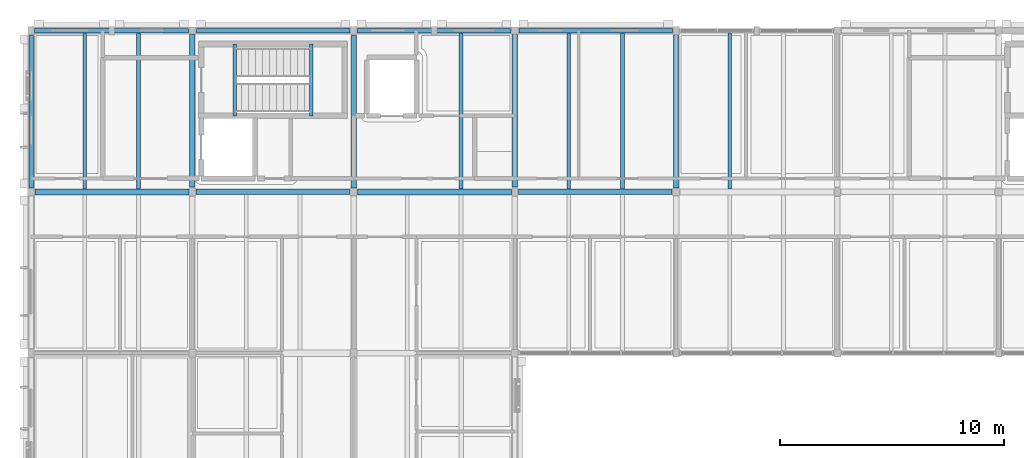
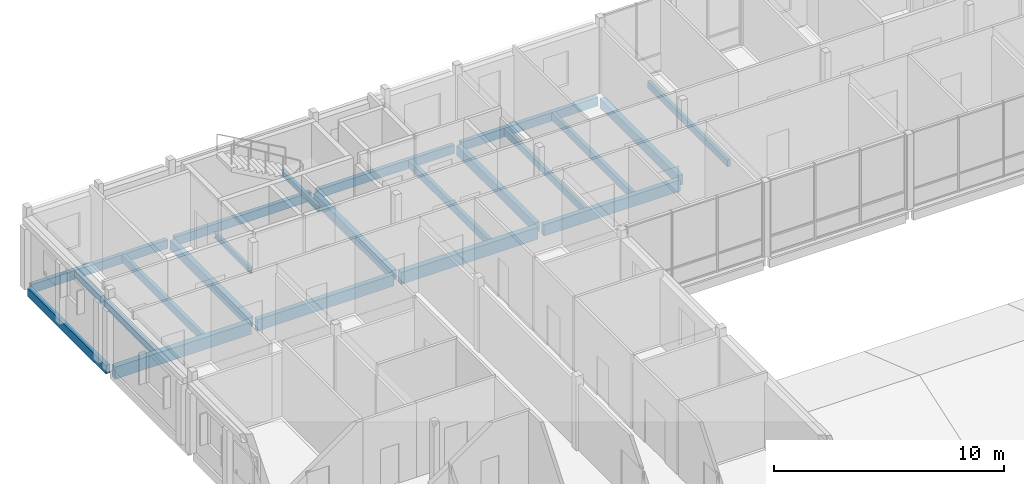
# One storey, part 21 of 115: 21 beams.
"""IFC4 building model written with IfcOpenShell, lengths in metres."""

from ifc_helpers import new_model, si_unit, direction, frame, origin, origin_2d, place, context, subcontext, project, spatial, rectangle, i_section, extrude, material, material_profile, profile_set, type_object, element, save


model = new_model("IFC4")

# Units and contexts
model_context = context("Model", 3, precision=1e-05, world=origin(), true_north=direction((0.0, 1.0)))
body_context = subcontext(model_context, "Body", "Model", "MODEL_VIEW")
ifc_project = project(units=[si_unit("LENGTHUNIT", "METRE"), si_unit("AREAUNIT", "SQUARE_METRE"), si_unit("VOLUMEUNIT", "CUBIC_METRE"), si_unit("PLANEANGLEUNIT", "RADIAN"), si_unit("MASSUNIT", "GRAM", prefix="KILO")], contexts=[model_context])

# Site, building, storey
site_placement = place(None, origin())
site = spatial("IfcSite", under=ifc_project, at=site_placement, CompositionType="ELEMENT")
building_placement = place(site_placement, origin())
building = spatial("IfcBuilding", under=site, at=building_placement, Name="Hawrajan Terrace Health Centre", CompositionType="ELEMENT")
storey_placement = place(building_placement, frame((0.0, 0.0, 9.0)))
storey = spatial("IfcBuildingStorey", under=building, at=storey_placement, Name="L02", CompositionType="ELEMENT", Elevation=9.0)

# Beams
ifc_material_1 = material(Name="Glulam GL32h", Category="wood")
ifc_material_profile_1 = material_profile(ifc_material_1, rectangle(XDim=0.239990234375, YDim=0.52001953125, at=origin_2d()), Name="GL BM 240x520")
ifc_profile_set_1 = profile_set([ifc_material_profile_1], Name="Glulam GL32h")
beam_type_1 = type_object("IfcBeamType", Name="GlulamGirder_240x520", PredefinedType="BEAM", material=ifc_profile_set_1)
for number, where, z_axis, x_axis, name in (
    (1, (11.800048828125, 52.81005859375, -0.5), (0.0, 1.0, 0.0), (-1.0, 0.0, 0.0), "Beam BM-Y-L02-W-X02-7"),
    (2, (19.0, 52.780029296875, -0.5), (0.0, 1.0, 0.0), (-1.0, 0.0, 0.0), "Beam BM-Y-L02-W-X03-7"),
    (3, (26.199951171875, 52.81005859375, -0.5), (0.0, 1.0, 0.0), (-1.0, 0.0, 0.0), "Beam BM-Y-L02-W-X04-7"),
    (4, (33.39990234375, 52.780029296875, -0.5), (0.0, 1.0, 0.0), (-1.0, 0.0, 0.0), "Beam BM-Y-L02-W-X05-7"),
):
    element("IfcBeam", number, at=place(storey_placement, frame(where, z_axis=z_axis, x_axis=x_axis)), inside=storey, type_object=beam_type_1, Name=name, PredefinedType="BEAM", context=body_context, shape_type="SweptSolid", body=[
        extrude(rectangle(XDim=0.239990234375, YDim=0.52001953125, at=origin_2d()), origin(), (0.0, 0.0, 1.0), 6.81005859375),
    ])
ifc_material_profile_2 = material_profile(ifc_material_1, rectangle(XDim=0.239990234375, YDim=0.60009765625, at=origin_2d()), Name="GL BM 240x600")
ifc_profile_set_2 = profile_set([ifc_material_profile_2], Name="Glulam GL32h")
beam_type_2 = type_object("IfcBeamType", Name="GlulamGirder_240x600", PredefinedType="BEAM", material=ifc_profile_set_2)
beam_1_placement = place(storey_placement, frame((11.9599609375, 52.60009765625, -0.5400390625), z_axis=(1.0, 0.0, 0.0), x_axis=(0.0, 1.0, 0.0)))
element("IfcBeam", 5, at=beam_1_placement, inside=storey, type_object=beam_type_2, Name="Beam BM-X-L02-W-02-Y7", PredefinedType="BEAM", context=body_context, shape_type="SweptSolid", body=[
    extrude(rectangle(XDim=0.239990234375, YDim=0.60009765625, at=origin_2d()), origin(), (0.0, 0.0, 1.0), 6.860107421875),
])
beam_2_placement = place(storey_placement, frame((26.360107421875, 52.60009765625, -0.5400390625), z_axis=(1.0, 0.0, 0.0), x_axis=(0.0, 1.0, 0.0)))
element("IfcBeam", 6, at=beam_2_placement, inside=storey, type_object=beam_type_2, Name="Beam BM-X-L02-W-04-Y7", PredefinedType="BEAM", context=body_context, shape_type="SweptSolid", body=[
    extrude(rectangle(XDim=0.239990234375, YDim=0.60009765625, at=origin_2d()), origin(), (0.0, 0.0, 1.0), 6.85986328125),
])
ifc_material_profile_3 = material_profile(ifc_material_1, rectangle(XDim=0.280029296875, YDim=0.639892578125, at=origin_2d()), Name="GL BM 280x640")
ifc_profile_set_3 = profile_set([ifc_material_profile_3], Name="Glulam GL32h")
beam_type_3 = type_object("IfcBeamType", Name="GlulamGirder_280x640", PredefinedType="BEAM", material=ifc_profile_set_3)
beam_3_placement = place(storey_placement, frame((4.780029296875, 52.60009765625, -0.56005859375), z_axis=(1.0, 0.0, 0.0), x_axis=(0.0, 1.0, 0.0)))
element("IfcBeam", 7, at=beam_3_placement, inside=storey, type_object=beam_type_3, Name="Beam BM-X-L02-W-01-Y7", PredefinedType="BEAM", context=body_context, shape_type="SweptSolid", body=[
    extrude(rectangle(XDim=0.280029296875, YDim=0.639892578125, at=origin_2d()), origin(), (0.0, 0.0, 1.0), 6.85986328125),
])
beam_4_placement = place(storey_placement, frame((19.179931640625, 52.60009765625, -0.56005859375), z_axis=(1.0, 0.0, 0.0), x_axis=(0.0, 1.0, 0.0)))
element("IfcBeam", 8, at=beam_4_placement, inside=storey, type_object=beam_type_3, Name="Beam BM-X-L02-W-03-Y7", PredefinedType="BEAM", context=body_context, shape_type="SweptSolid", body=[
    extrude(rectangle(XDim=0.280029296875, YDim=0.639892578125, at=origin_2d()), origin(), (0.0, 0.0, 1.0), 6.860107421875),
])
ifc_material_2 = material(Name="Glulam GL28h", Category="wood")
ifc_material_profile_4 = material_profile(ifc_material_2, rectangle(XDim=0.159912109375, YDim=0.360107421875, at=origin_2d()), Name="GL JST 160x360")
ifc_profile_set_4 = profile_set([ifc_material_profile_4], Name="Glulam GL28h")
beam_type_4 = type_object("IfcBeamType", Name="GlulamJoist_160x360", PredefinedType="JOIST", material=ifc_profile_set_4)
beam_5_placement = place(storey_placement, frame((7.0, 52.739990234375, -0.419921875), z_axis=(0.0, 1.0, 0.0), x_axis=(-1.0, 0.0, 0.0)))
element("IfcBeam", 9, at=beam_5_placement, inside=storey, type_object=beam_type_4, Name="Secondary joist JST-L02-W-01-7-1", PredefinedType="JOIST", context=body_context, shape_type="SweptSolid", body=[
    extrude(rectangle(XDim=0.159912109375, YDim=0.360107421875, at=origin_2d()), origin(), (0.0, 0.0, 1.0), 6.9599609375),
])
beam_6_placement = place(storey_placement, frame((28.60009765625, 52.719970703125, -0.419921875), z_axis=(0.0, 1.0, 0.0), x_axis=(-1.0, 0.0, 0.0)))
element("IfcBeam", 10, at=beam_6_placement, inside=storey, type_object=beam_type_4, Name="Secondary joist JST-L02-W-04-7-1", PredefinedType="JOIST", context=body_context, shape_type="SweptSolid", body=[
    extrude(rectangle(XDim=0.159912109375, YDim=0.360107421875, at=origin_2d()), origin(), (0.0, 0.0, 1.0), 6.97998046875),
])
beam_7_placement = place(storey_placement, frame((35.800048828125, 52.739990234375, -0.419921875), z_axis=(0.0, 1.0, 0.0), x_axis=(-1.0, 0.0, 0.0)))
element("IfcBeam", 11, at=beam_7_placement, inside=storey, type_object=beam_type_4, Name="Secondary joist JST-L02-W-05-7-1", PredefinedType="JOIST", context=body_context, shape_type="SweptSolid", body=[
    extrude(rectangle(XDim=0.159912109375, YDim=0.360107421875, at=origin_2d()), origin(), (0.0, 0.0, 1.0), 6.9599609375),
])
ifc_material_profile_5 = material_profile(ifc_material_2, rectangle(XDim=0.179931640625, YDim=0.39990234375, at=origin_2d()), Name="GL JST 180x400")
ifc_profile_set_5 = profile_set([ifc_material_profile_5], Name="Glulam GL28h")
beam_type_5 = type_object("IfcBeamType", Name="GlulamJoist_180x400", PredefinedType="JOIST", material=ifc_profile_set_5)
for number, where, z_axis, x_axis, name in (
    (12, (9.39990234375, 52.739990234375, -0.43994140625), (0.0, 1.0, 0.0), (-1.0, 0.0, 0.0), "Secondary joist JST-L02-W-01-7-2"),
    (13, (23.800048828125, 52.739990234375, -0.43994140625), (0.0, 1.0, 0.0), (-1.0, 0.0, 0.0), "Secondary joist JST-L02-W-03-7-2"),
):
    element("IfcBeam", number, at=place(storey_placement, frame(where, z_axis=z_axis, x_axis=x_axis)), inside=storey, type_object=beam_type_5, Name=name, PredefinedType="JOIST", context=body_context, shape_type="SweptSolid", body=[
        extrude(rectangle(XDim=0.179931640625, YDim=0.39990234375, at=origin_2d()), origin(), (0.0, 0.0, 1.0), 6.9599609375),
    ])
beam_8_placement = place(storey_placement, frame((31.0, 52.719970703125, -0.43994140625), z_axis=(0.0, 1.0, 0.0), x_axis=(-1.0, 0.0, 0.0)))
element("IfcBeam", 14, at=beam_8_placement, inside=storey, type_object=beam_type_5, Name="Secondary joist JST-L02-W-04-7-2", PredefinedType="JOIST", context=body_context, shape_type="SweptSolid", body=[
    extrude(rectangle(XDim=0.179931640625, YDim=0.39990234375, at=origin_2d()), origin(), (0.0, 0.0, 1.0), 6.97998046875),
])
ifc_material_profile_6 = material_profile(ifc_material_1, rectangle(XDim=0.199951171875, YDim=0.4599609375, at=origin_2d()), Name="GL SP 200x460")
ifc_profile_set_6 = profile_set([ifc_material_profile_6], Name="Glulam GL32h")
beam_type_6 = type_object("IfcBeamType", Name="GlulamSpandrel_200x460", PredefinedType="SPANDREL", material=ifc_profile_set_6)
for number, where, z_axis, x_axis, name in (
    (15, (4.760009765625, 59.800048828125, -0.469970703125), (1.0, 0.0, 0.0), (0.0, 1.0, 0.0), "Beam BM-X-L02-W-01-Y8"),
    (16, (11.97998046875, 59.800048828125, -0.469970703125), (1.0, 0.0, 0.0), (0.0, 1.0, 0.0), "Beam BM-X-L02-W-02-Y8"),
    (17, (19.159912109375, 59.800048828125, -0.469970703125), (1.0, 0.0, 0.0), (0.0, 1.0, 0.0), "Beam BM-X-L02-W-03-Y8"),
    (18, (26.3798828125, 59.800048828125, -0.469970703125), (1.0, 0.0, 0.0), (0.0, 1.0, 0.0), "Beam BM-X-L02-W-04-Y8"),
):
    element("IfcBeam", number, at=place(storey_placement, frame(where, z_axis=z_axis, x_axis=x_axis)), inside=storey, type_object=beam_type_6, Name=name, PredefinedType="SPANDREL", context=body_context, shape_type="SweptSolid", body=[
        extrude(rectangle(XDim=0.199951171875, YDim=0.4599609375, at=origin_2d()), origin(), (0.0, 0.0, 1.0), 6.860107421875),
    ])
beam_9_placement = place(storey_placement, frame((4.60009765625, 52.780029296875, -0.469970703125), z_axis=(0.0, 1.0, 0.0), x_axis=(-1.0, 0.0, 0.0)))
element("IfcBeam", 19, at=beam_9_placement, inside=storey, type_object=beam_type_6, Name="Beam BM-Y-L02-W-X01-7", PredefinedType="SPANDREL", context=body_context, shape_type="SweptSolid", body=[
    extrude(rectangle(XDim=0.199951171875, YDim=0.4599609375, at=origin_2d()), origin(), (0.0, 0.0, 1.0), 6.81005859375),
])
ifc_material_3 = material(Name="Steel S355", Category="steel")
ifc_material_profile_7 = material_profile(ifc_material_3, i_section(OverallWidth=0.14990234375, OverallDepth=0.300048828125, WebThickness=0.007080078125, FlangeThickness=0.0107421875, FilletRadius=0.014892578125, at=origin_2d()), Name="IPE 300")
ifc_profile_set_7 = profile_set([ifc_material_profile_7], Name="Steel S355")
beam_type_7 = type_object("IfcBeamType", Name="SteelBeam_IPE300", PredefinedType="JOIST", material=ifc_profile_set_7)
for number, where, z_axis, x_axis, name in (
    (20, (13.699951171875, 56.0, -0.3701171875), (0.0, 1.0, 0.0), (-1.0, 0.0, 0.0), "Stair landing trimmer ST-1-L02-B0"),
    (21, (17.10009765625, 56.0, 1.72998046875), (0.0, 1.0, 0.0), (-1.0, 0.0, 0.0), "Stair half-landing trimmer ST-1-L02-B1"),
):
    element("IfcBeam", number, at=place(storey_placement, frame(where, z_axis=z_axis, x_axis=x_axis)), inside=storey, type_object=beam_type_7, Name=name, PredefinedType="JOIST", context=body_context, shape_type="SweptSolid", body=[
        extrude(i_section(OverallWidth=0.14990234375, OverallDepth=0.300048828125, WebThickness=0.007080078125, FlangeThickness=0.0107421875, FilletRadius=0.014892578125, at=origin_2d()), origin(), (0.0, 0.0, 1.0), 3.199951171875),
    ])

save(model, "model.ifc")
